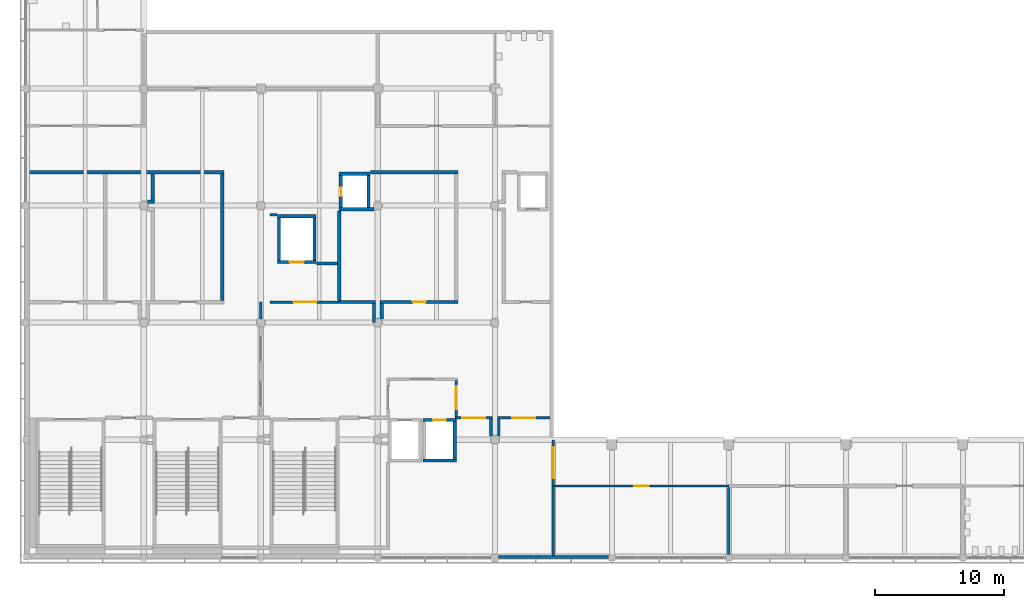
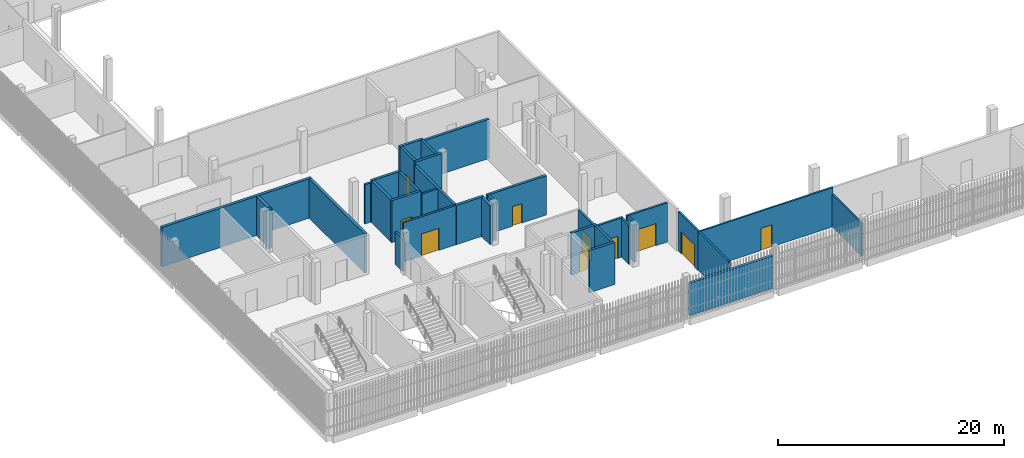
# One storey, part 67 of 124: 35 walls, 10 doors, 10 openings.
"""IFC4 building model written with IfcOpenShell, lengths in metres."""

from ifc_helpers import new_model, si_unit, direction, frame, frame_2d, origin, place, context, subcontext, project, spatial, rectangle, extrude, material, layer, layer_set, type_object, element, fill, save


model = new_model("IFC4")

# Units and contexts
model_context = context("Model", 3, precision=1e-05, world=origin(), true_north=direction((0.0, 1.0)))
body_context = subcontext(model_context, "Body", "Model", "MODEL_VIEW")
ifc_project = project(units=[si_unit("LENGTHUNIT", "METRE"), si_unit("AREAUNIT", "SQUARE_METRE"), si_unit("VOLUMEUNIT", "CUBIC_METRE"), si_unit("PLANEANGLEUNIT", "RADIAN"), si_unit("MASSUNIT", "GRAM", prefix="KILO")], contexts=[model_context])

# Site, building, storey
site_placement = place(None, origin())
site = spatial("IfcSite", under=ifc_project, at=site_placement, CompositionType="ELEMENT")
building_placement = place(site_placement, origin())
building = spatial("IfcBuilding", under=site, at=building_placement, Name="Shirokan Park Arena", CompositionType="ELEMENT")
storey_placement = place(building_placement, frame((0.0, 0.0, 20.02001953125)))
storey = spatial("IfcBuildingStorey", under=building, at=storey_placement, Name="L04", CompositionType="ELEMENT", Elevation=20.02001953125)

# Walls
ifc_material_1 = material(Name="Gypsum board")
ifc_layer_1 = layer(ifc_material_1, 0.02490234375, Name="Gypsum board, two layers")
ifc_material_2 = material(Name="Mineral wool insulation")
ifc_layer_2 = layer(ifc_material_2, 0.10009765625, Name="Acoustic mineral wool in studs")
ifc_layer_3 = layer(ifc_material_1, 0.02490234375, Name="Gypsum board, two layers")
ifc_material_3 = material(Name="Acoustic mat on resilient channel")
ifc_layer_4 = layer(ifc_material_3, 0.02490234375, Name="Acoustic mat on resilient channel")
ifc_layer_set_1 = layer_set([ifc_layer_1, ifc_layer_2, ifc_layer_3, ifc_layer_4], Name="Gypsum board, two layers + Acoustic mineral wool in studs + Acoustic mat on resilient channel")
wall_type_1 = type_object("IfcWallType", Name="Acoustic studio wall 175", PredefinedType="PARTITIONING", material=ifc_layer_set_1)
wall_1_placement = place(storey_placement, frame((40.949951171875, 0.10009765625, 0.0), z_axis=(0.0, 0.0, 1.0), x_axis=(0.0, 1.0, 0.0)))
element("IfcWall", 1, at=wall_1_placement, inside=storey, type_object=wall_type_1, Name="Acoustic studio wall 175 L04", PredefinedType="PARTITIONING", context=body_context, shape_type="SweptSolid", body=[
    extrude(rectangle(XDim=5.39990234375, YDim=0.175048828125, at=frame_2d((2.699951171875, 0.0))), origin(), (0.0, 0.0, 1.0), 4.25),
])
wall_2_placement = place(storey_placement, frame((54.60009765625, 5.39990234375, 0.0), z_axis=(0.0, 0.0, 1.0), x_axis=(0.0, -1.0, 0.0)))
element("IfcWall", 2, at=wall_2_placement, inside=storey, type_object=wall_type_1, Name="Acoustic studio wall 175 L04", PredefinedType="PARTITIONING", context=body_context, shape_type="SweptSolid", body=[
    extrude(rectangle(XDim=5.224853515625, YDim=0.175048828125, at=frame_2d((2.6123046875, 0.0))), origin(), (0.0, 0.0, 1.0), 3.550048828125),
])

# Wall, opening, door
wall_3_placement = place(storey_placement, frame((54.60009765625, 5.5, 0.0), z_axis=(0.0, 0.0, 1.0), x_axis=(-1.0, 0.0, 0.0)))
wall_3 = element("IfcWall", 3, at=wall_3_placement, inside=storey, type_object=wall_type_1, Name="Acoustic studio wall 175 L04", PredefinedType="PARTITIONING", context=body_context, shape_type="SweptSolid", body=[
    extrude(rectangle(XDim=13.550048828125, YDim=0.175048828125, at=frame_2d((6.77490234375, 0.0))), origin(), (0.0, 0.0, 1.0), 4.25),
])
opening_1_placement = place(wall_3_placement, frame((6.25, 0.0, 0.0)))
opening_1 = element("IfcOpeningElement", 4, at=opening_1_placement, cuts=wall_3, Name="Opening D-4061", PredefinedType="OPENING", context=body_context, shape_type="SweptSolid", body=[
    extrude(rectangle(XDim=1.10009765625, YDim=2.39990234375, at=frame_2d((0.550048828125, 1.199951171875))), frame((0.0, 0.097412109375, 0.0), z_axis=(0.0, -1.0, 0.0), x_axis=(1.0, 0.0, 0.0)), (0.0, 0.0, 1.0), 0.195068359375),
])
ifc_material_4 = material(Name="Acoustic timber door set, fire resisting", Category="wood")
door_type_1 = type_object("IfcDoorType", Name="Acoustic studio door 1100 x 2400", OperationType="SINGLE_SWING_LEFT", PredefinedType="DOOR", material=ifc_material_4)
door_1_placement = place(opening_1_placement, origin())
door_1 = element("IfcDoor", 5, at=door_1_placement, inside=storey, type_object=door_type_1, Name="Door to Camera Position Room 4.11 D-4061", OperationType="SINGLE_SWING_LEFT", OverallHeight=2.39990234375, OverallWidth=1.10009765625, PredefinedType="DOOR", context=body_context, shape_type="SweptSolid", body=[
    extrude(rectangle(XDim=1.10009765625, YDim=2.39990234375, at=frame_2d((0.550048828125, 1.199951171875))), frame((0.0, 0.02490234375, 0.0), z_axis=(0.0, -1.0, 0.0), x_axis=(1.0, 0.0, 0.0)), (0.0, 0.0, 1.0), 0.050048828125),
])
fill(opening_1, door_1)

# Walls
ifc_material_5 = material(Name="Plaster")
ifc_layer_5 = layer(ifc_material_5, 0.014892578125, Name="Plaster")
ifc_material_6 = material(Name="Concrete blockwork", Category="masonry")
ifc_layer_6 = layer(ifc_material_6, 0.219970703125, Name="Concrete blockwork 220")
ifc_layer_7 = layer(ifc_material_5, 0.014892578125, Name="Plaster")
ifc_layer_set_2 = layer_set([ifc_layer_5, ifc_layer_6, ifc_layer_7], Name="Plaster + Concrete blockwork 220")
wall_type_2 = type_object("IfcWallType", Name="Compartment wall 250", PredefinedType="SOLIDWALL", material=ifc_layer_set_2)
wall_4_placement = place(storey_placement, frame((24.300048828125, 19.800048828125, 0.0), z_axis=(0.0, 0.0, 1.0), x_axis=(1.0, 0.0, 0.0)))
element("IfcWall", 6, at=wall_4_placement, inside=storey, type_object=wall_type_2, Name="Compartment wall 250 L04", PredefinedType="SOLIDWALL", context=body_context, shape_type="SweptSolid", body=[
    extrude(rectangle(XDim=2.824951171875, YDim=0.25, at=frame_2d((1.41259765625, 0.0))), origin(), (0.0, 0.0, 1.0), 4.25),
])
wall_5_placement = place(storey_placement, frame((24.300048828125, 19.925048828125, 0.0), z_axis=(0.0, 0.0, 1.0), x_axis=(0.0, 1.0, 0.0)))
element("IfcWall", 7, at=wall_5_placement, inside=storey, type_object=wall_type_2, Name="Compartment wall 250 L04", PredefinedType="SOLIDWALL", context=body_context, shape_type="SweptSolid", body=[
    extrude(rectangle(XDim=6.945068359375, YDim=0.25, at=frame_2d((3.47265625, 0.0))), origin(), (0.0, 0.0, 1.0), 4.25),
])
wall_6_placement = place(storey_placement, frame((26.72998046875, 29.89990234375, 0.0), z_axis=(0.0, 0.0, 1.0), x_axis=(1.0, 0.0, 0.0)))
element("IfcWall", 8, at=wall_6_placement, inside=storey, type_object=wall_type_2, Name="Compartment wall 250 L04", PredefinedType="SOLIDWALL", context=body_context, shape_type="SweptSolid", body=[
    extrude(rectangle(XDim=6.794921875, YDim=0.25, at=frame_2d((3.3974609375, 0.0))), origin(), (0.0, 0.0, 1.0), 4.25),
])
wall_7_placement = place(storey_placement, frame((27.0, 18.199951171875, 0.0), z_axis=(0.0, 0.0, 1.0), x_axis=(0.0, 1.0, 0.0)))
element("IfcWall", 9, at=wall_7_placement, inside=storey, type_object=wall_type_2, Name="Compartment wall 250 L04", PredefinedType="SOLIDWALL", context=body_context, shape_type="SweptSolid", body=[
    extrude(rectangle(XDim=1.47509765625, YDim=0.25, at=frame_2d((0.737548828125, 0.0))), origin(), (0.0, 0.0, 1.0), 4.25),
])

# Wall, opening, door
wall_8_placement = place(storey_placement, frame((27.47509765625, 19.800048828125, 0.0), z_axis=(0.0, 0.0, 1.0), x_axis=(1.0, 0.0, 0.0)))
wall_8 = element("IfcWall", 10, at=wall_8_placement, inside=storey, type_object=wall_type_2, Name="Compartment wall 250 L04", PredefinedType="SOLIDWALL", context=body_context, shape_type="SweptSolid", body=[
    extrude(rectangle(XDim=6.0498046875, YDim=0.25, at=frame_2d((3.02490234375, 0.0))), origin(), (0.0, 0.0, 1.0), 4.25),
])
opening_2_placement = place(wall_8_placement, frame((2.550048828125, 0.0, 0.0)))
opening_2 = element("IfcOpeningElement", 11, at=opening_2_placement, cuts=wall_8, Name="Opening D-4002", PredefinedType="OPENING", context=body_context, shape_type="SweptSolid", body=[
    extrude(rectangle(XDim=1.0, YDim=2.10009765625, at=frame_2d((0.5, 1.050048828125))), frame((0.0, 0.135009765625, 0.0), z_axis=(0.0, -1.0, 0.0), x_axis=(1.0, 0.0, 0.0)), (0.0, 0.0, 1.0), 0.27001953125),
])
ifc_material_7 = material(Name="Timber door set, fire resisting", Category="wood")
door_type_2 = type_object("IfcDoorType", Name="Door 1000 x 2100", OperationType="SINGLE_SWING_LEFT", PredefinedType="DOOR", material=ifc_material_7)
door_2_placement = place(opening_2_placement, origin())
door_2 = element("IfcDoor", 12, at=door_2_placement, inside=storey, type_object=door_type_2, Name="Door to Records Store 4.18 D-4002", OperationType="SINGLE_SWING_LEFT", OverallHeight=2.10009765625, OverallWidth=1.0, PredefinedType="DOOR", context=body_context, shape_type="SweptSolid", body=[
    extrude(rectangle(XDim=1.0, YDim=2.10009765625, at=frame_2d((0.5, 1.050048828125))), frame((0.0, 0.02490234375, 0.0), z_axis=(0.0, -1.0, 0.0), x_axis=(1.0, 0.0, 0.0)), (0.0, 0.0, 1.0), 0.050048828125),
])
fill(opening_2, door_2)

# Walls
wall_9_placement = place(storey_placement, frame((27.60009765625, 18.5, 0.0), z_axis=(0.0, 0.0, 1.0), x_axis=(0.0, 1.0, 0.0)))
element("IfcWall", 13, at=wall_9_placement, inside=storey, type_object=wall_type_2, Name="Compartment wall 250 L04", PredefinedType="SOLIDWALL", context=body_context, shape_type="SweptSolid", body=[
    extrude(rectangle(XDim=1.175048828125, YDim=0.25, at=frame_2d((0.58740234375, 0.0))), origin(), (0.0, 0.0, 1.0), 4.25),
])
ifc_layer_8 = layer(ifc_material_1, 0.02490234375, Name="Gypsum board, two layers")
ifc_layer_9 = layer(ifc_material_2, 0.14990234375, Name="Mineral wool insulation")
ifc_layer_10 = layer(ifc_material_1, 0.02490234375, Name="Gypsum board, two layers")
ifc_layer_set_3 = layer_set([ifc_layer_8, ifc_layer_9, ifc_layer_10], Name="Gypsum board, two layers + Mineral wool insulation")
wall_type_3 = type_object("IfcWallType", Name="Corridor wall 200", PredefinedType="PARTITIONING", material=ifc_layer_set_3)
wall_10_placement = place(storey_placement, frame((18.199951171875, 19.800048828125, 0.0), z_axis=(0.0, 0.0, 1.0), x_axis=(0.0, -1.0, 0.0)))
element("IfcWall", 14, at=wall_10_placement, inside=storey, type_object=wall_type_3, Name="Corridor wall 200 L04", PredefinedType="PARTITIONING", context=body_context, shape_type="SweptSolid", body=[
    extrude(rectangle(XDim=1.300048828125, YDim=0.199951171875, at=frame_2d((0.64990234375, 0.0))), origin(), (0.0, 0.0, 1.0), 3.5),
])

# Wall, opening, door
wall_11_placement = place(storey_placement, frame((18.89990234375, 19.800048828125, 0.0), z_axis=(0.0, 0.0, 1.0), x_axis=(1.0, 0.0, 0.0)))
wall_11 = element("IfcWall", 15, at=wall_11_placement, inside=storey, type_object=wall_type_3, Name="Corridor wall 200 L04", PredefinedType="PARTITIONING", context=body_context, shape_type="SweptSolid", body=[
    extrude(rectangle(XDim=5.400146484375, YDim=0.199951171875, at=frame_2d((2.7001953125, 0.0))), origin(), (0.0, 0.0, 1.0), 4.25),
])
opening_3_placement = place(wall_11_placement, frame((1.85009765625, 0.0, 0.0)))
opening_3 = element("IfcOpeningElement", 16, at=opening_3_placement, cuts=wall_11, Name="Opening D-4078", PredefinedType="OPENING", context=body_context, shape_type="SweptSolid", body=[
    extrude(rectangle(XDim=1.800048828125, YDim=2.39990234375, at=frame_2d((0.89990234375, 1.199951171875))), frame((0.0, 0.10986328125, 0.0), z_axis=(0.0, -1.0, 0.0), x_axis=(1.0, 0.0, 0.0)), (0.0, 0.0, 1.0), 0.219970703125),
])
ifc_material_8 = material(Name="Glazed steel door set, fire resisting", Category="steel")
door_type_3 = type_object("IfcDoorType", Name="Lift lobby door 1800 x 2400", OperationType="DOUBLE_DOOR_SINGLE_SWING", PredefinedType="DOOR", material=ifc_material_8)
door_3_placement = place(opening_3_placement, origin())
door_3 = element("IfcDoor", 17, at=door_3_placement, inside=storey, type_object=door_type_3, Name="Door between Operations Gallery 1.4.2 and Service Lift Lobby 1.4 D-4078", OperationType="DOUBLE_DOOR_SINGLE_SWING", OverallHeight=2.39990234375, OverallWidth=1.800048828125, PredefinedType="DOOR", context=body_context, shape_type="SweptSolid", body=[
    extrude(rectangle(XDim=1.800048828125, YDim=2.39990234375, at=frame_2d((0.89990234375, 1.199951171875))), frame((0.0, 0.02490234375, 0.0), z_axis=(0.0, -1.0, 0.0), x_axis=(1.0, 0.0, 0.0)), (0.0, 0.0, 1.0), 0.050048828125),
])
fill(opening_3, door_3)

# Walls
wall_12_placement = place(storey_placement, frame((18.89990234375, 26.60009765625, 0.0), z_axis=(0.0, 0.0, 1.0), x_axis=(1.0, 0.0, 0.0)))
element("IfcWall", 18, at=wall_12_placement, inside=storey, type_object=wall_type_3, Name="Corridor wall 200 L04", PredefinedType="PARTITIONING", context=body_context, shape_type="SweptSolid", body=[
    extrude(rectangle(XDim=0.570068359375, YDim=0.199951171875, at=frame_2d((0.28515625, 0.0))), origin(), (0.0, 0.0, 1.0), 4.25),
])
wall_13_placement = place(storey_placement, frame((22.530029296875, 22.800048828125, 0.0), z_axis=(0.0, 0.0, 1.0), x_axis=(1.0, 0.0, 0.0)))
element("IfcWall", 19, at=wall_13_placement, inside=storey, type_object=wall_type_3, Name="Corridor wall 200 L04", PredefinedType="PARTITIONING", context=body_context, shape_type="SweptSolid", body=[
    extrude(rectangle(XDim=1.64501953125, YDim=0.199951171875, at=frame_2d((0.822509765625, 0.0))), origin(), (0.0, 0.0, 1.0), 4.25),
])

# Wall, opening, door
wall_14_placement = place(storey_placement, frame((33.39990234375, 10.89990234375, 0.0), z_axis=(0.0, 0.0, 1.0), x_axis=(0.0, 1.0, 0.0)))
wall_14 = element("IfcWall", 20, at=wall_14_placement, inside=storey, type_object=wall_type_3, Name="Corridor wall 200 L04", PredefinedType="PARTITIONING", context=body_context, shape_type="SweptSolid", body=[
    extrude(rectangle(XDim=2.800048828125, YDim=0.199951171875, at=frame_2d((1.39990234375, 0.0))), origin(), (0.0, 0.0, 1.0), 4.25),
])
opening_4_placement = place(wall_14_placement, frame((0.550048828125, 0.0, 0.0)))
opening_4 = element("IfcOpeningElement", 21, at=opening_4_placement, cuts=wall_14, Name="Opening D-4076", PredefinedType="OPENING", context=body_context, shape_type="SweptSolid", body=[
    extrude(rectangle(XDim=1.800048828125, YDim=2.39990234375, at=frame_2d((0.89990234375, 1.199951171875))), frame((0.0, 0.10986328125, 0.0), z_axis=(0.0, -1.0, 0.0), x_axis=(1.0, 0.0, 0.0)), (0.0, 0.0, 1.0), 0.219970703125),
])
door_4_placement = place(opening_4_placement, origin())
door_4 = element("IfcDoor", 22, at=door_4_placement, inside=storey, type_object=door_type_3, Name="Door between Operations Gallery 1.4.2 and Lift Lobby 1.4 D-4076", OperationType="DOUBLE_DOOR_SINGLE_SWING", OverallHeight=2.39990234375, OverallWidth=1.800048828125, PredefinedType="DOOR", context=body_context, shape_type="SweptSolid", body=[
    extrude(rectangle(XDim=1.800048828125, YDim=2.39990234375, at=frame_2d((0.89990234375, 1.199951171875))), frame((0.0, 0.02490234375, 0.0), z_axis=(0.0, -1.0, 0.0), x_axis=(1.0, 0.0, 0.0)), (0.0, 0.0, 1.0), 0.050048828125),
])
fill(opening_4, door_4)

# Wall
wall_15_placement = place(storey_placement, frame((36.10009765625, 9.39990234375, 0.0), z_axis=(0.0, 0.0, 1.0), x_axis=(0.0, 1.0, 0.0)))
element("IfcWall", 23, at=wall_15_placement, inside=storey, type_object=wall_type_3, Name="Corridor wall 200 L04", PredefinedType="PARTITIONING", context=body_context, shape_type="SweptSolid", body=[
    extrude(rectangle(XDim=1.300048828125, YDim=0.199951171875, at=frame_2d((0.64990234375, 0.0))), origin(), (0.0, 0.0, 1.0), 4.25),
])

# Wall, opening, door
wall_16_placement = place(storey_placement, frame((36.199951171875, 10.800048828125, 0.0), z_axis=(0.0, 0.0, 1.0), x_axis=(-1.0, 0.0, 0.0)))
wall_16 = element("IfcWall", 24, at=wall_16_placement, inside=storey, type_object=wall_type_3, Name="Corridor wall 200 L04", PredefinedType="PARTITIONING", context=body_context, shape_type="SweptSolid", body=[
    extrude(rectangle(XDim=2.89990234375, YDim=0.199951171875, at=frame_2d((1.449951171875, 0.0))), origin(), (0.0, 0.0, 1.0), 4.25),
])
opening_5_placement = place(wall_16_placement, frame((0.550048828125, 0.0, 0.0)))
opening_5 = element("IfcOpeningElement", 25, at=opening_5_placement, cuts=wall_16, Name="Opening D-4080", PredefinedType="OPENING", context=body_context, shape_type="SweptSolid", body=[
    extrude(rectangle(XDim=1.800048828125, YDim=2.39990234375, at=frame_2d((0.89990234375, 1.199951171875))), frame((0.0, 0.10986328125, 0.0), z_axis=(0.0, -1.0, 0.0), x_axis=(1.0, 0.0, 0.0)), (0.0, 0.0, 1.0), 0.219970703125),
])
door_5_placement = place(opening_5_placement, origin())
door_5 = element("IfcDoor", 26, at=door_5_placement, inside=storey, type_object=door_type_3, Name="Door between Operations Gallery 1.4.2 and Ring Link 1.4 D-4080", OperationType="DOUBLE_DOOR_SINGLE_SWING", OverallHeight=2.39990234375, OverallWidth=1.800048828125, PredefinedType="DOOR", context=body_context, shape_type="SweptSolid", body=[
    extrude(rectangle(XDim=1.800048828125, YDim=2.39990234375, at=frame_2d((0.89990234375, 1.199951171875))), frame((0.0, 0.02490234375, 0.0), z_axis=(0.0, -1.0, 0.0), x_axis=(1.0, 0.0, 0.0)), (0.0, 0.0, 1.0), 0.050048828125),
])
fill(opening_5, door_5)

# Wall
wall_17_placement = place(storey_placement, frame((36.699951171875, 10.699951171875, 0.0), z_axis=(0.0, 0.0, 1.0), x_axis=(0.0, -1.0, 0.0)))
element("IfcWall", 27, at=wall_17_placement, inside=storey, type_object=wall_type_3, Name="Corridor wall 200 L04", PredefinedType="PARTITIONING", context=body_context, shape_type="SweptSolid", body=[
    extrude(rectangle(XDim=1.300048828125, YDim=0.199951171875, at=frame_2d((0.64990234375, 0.0))), origin(), (0.0, 0.0, 1.0), 4.25),
])

# Wall, opening, door
wall_18_placement = place(storey_placement, frame((40.699951171875, 10.800048828125, 0.0), z_axis=(0.0, 0.0, 1.0), x_axis=(-1.0, 0.0, 0.0)))
wall_18 = element("IfcWall", 28, at=wall_18_placement, inside=storey, type_object=wall_type_3, Name="Corridor wall 200 L04", PredefinedType="PARTITIONING", context=body_context, shape_type="SweptSolid", body=[
    extrude(rectangle(XDim=4.099853515625, YDim=0.199951171875, at=frame_2d((2.0498046875, 0.0))), origin(), (0.0, 0.0, 1.0), 4.25),
])
opening_6_placement = place(wall_18_placement, frame((1.14990234375, 0.0, 0.0)))
opening_6 = element("IfcOpeningElement", 29, at=opening_6_placement, cuts=wall_18, Name="Opening D-4079", PredefinedType="OPENING", context=body_context, shape_type="SweptSolid", body=[
    extrude(rectangle(XDim=1.800048828125, YDim=2.39990234375, at=frame_2d((0.89990234375, 1.199951171875))), frame((0.0, 0.10986328125, 0.0), z_axis=(0.0, -1.0, 0.0), x_axis=(1.0, 0.0, 0.0)), (0.0, 0.0, 1.0), 0.219970703125),
])
door_6_placement = place(opening_6_placement, origin())
door_6 = element("IfcDoor", 30, at=door_6_placement, inside=storey, type_object=door_type_3, Name="Door between Operations Gallery 1.4.2 and Ring Link 1.4 D-4079", OperationType="DOUBLE_DOOR_SINGLE_SWING", OverallHeight=2.39990234375, OverallWidth=1.800048828125, PredefinedType="DOOR", context=body_context, shape_type="SweptSolid", body=[
    extrude(rectangle(XDim=1.800048828125, YDim=2.39990234375, at=frame_2d((0.89990234375, 1.199951171875))), frame((0.0, 0.02490234375, 0.0), z_axis=(0.0, -1.0, 0.0), x_axis=(1.0, 0.0, 0.0)), (0.0, 0.0, 1.0), 0.050048828125),
])
fill(opening_6, door_6)

wall_19_placement = place(storey_placement, frame((40.949951171875, 9.070068359375, 0.0), z_axis=(0.0, 0.0, 1.0), x_axis=(0.0, -1.0, 0.0)))
wall_19 = element("IfcWall", 31, at=wall_19_placement, inside=storey, type_object=wall_type_3, Name="Corridor wall 200 L04", PredefinedType="PARTITIONING", context=body_context, shape_type="SweptSolid", body=[
    extrude(rectangle(XDim=3.570068359375, YDim=0.199951171875, at=frame_2d((1.78515625, 0.0))), origin(), (0.0, 0.0, 1.0), 4.25),
])
opening_7_placement = place(wall_19_placement, frame((0.550048828125, 0.0, 0.0)))
opening_7 = element("IfcOpeningElement", 32, at=opening_7_placement, cuts=wall_19, Name="Opening D-4082", PredefinedType="OPENING", context=body_context, shape_type="SweptSolid", body=[
    extrude(rectangle(XDim=2.39990234375, YDim=2.39990234375, at=frame_2d((1.199951171875, 1.199951171875))), frame((0.0, 0.10986328125, 0.0), z_axis=(0.0, -1.0, 0.0), x_axis=(1.0, 0.0, 0.0)), (0.0, 0.0, 1.0), 0.219970703125),
])
ifc_material_9 = material(Name="Steel door set, fire resisting", Category="steel")
door_type_4 = type_object("IfcDoorType", Name="Double door 2400 x 2400", OperationType="DOUBLE_DOOR_SINGLE_SWING", PredefinedType="DOOR", material=ifc_material_9)
door_7_placement = place(opening_7_placement, origin())
door_7 = element("IfcDoor", 33, at=door_7_placement, inside=storey, type_object=door_type_4, Name="Door between Ring Link 1.4 and Operations Corridor 4.01 D-4082", OperationType="DOUBLE_DOOR_SINGLE_SWING", OverallHeight=2.39990234375, OverallWidth=2.39990234375, PredefinedType="DOOR", context=body_context, shape_type="SweptSolid", body=[
    extrude(rectangle(XDim=2.39990234375, YDim=2.39990234375, at=frame_2d((1.199951171875, 1.199951171875))), frame((0.0, 0.02490234375, 0.0), z_axis=(0.0, -1.0, 0.0), x_axis=(1.0, 0.0, 0.0)), (0.0, 0.0, 1.0), 0.050048828125),
])
fill(opening_7, door_7)

# Walls
ifc_layer_11 = layer(ifc_material_5, 0.012451171875, Name="Plaster")
ifc_layer_12 = layer(ifc_material_6, 0.25, Name="Concrete blockwork 250")
ifc_layer_13 = layer(ifc_material_5, 0.012451171875, Name="Plaster")
ifc_layer_set_4 = layer_set([ifc_layer_11, ifc_layer_12, ifc_layer_13], Name="Plaster + Concrete blockwork 250")
wall_type_4 = type_object("IfcWallType", Name="Plant room wall 275", PredefinedType="SOLIDWALL", material=ifc_layer_set_4)
wall_20_placement = place(storey_placement, frame((0.030029296875, 29.89990234375, 0.0), z_axis=(0.0, 0.0, 1.0), x_axis=(1.0, 0.0, 0.0)))
element("IfcWall", 34, at=wall_20_placement, inside=storey, type_object=wall_type_4, Name="Plant room wall 275 L04", PredefinedType="SOLIDWALL", context=body_context, shape_type="SweptSolid", body=[
    extrude(rectangle(XDim=15.307373046875, YDim=0.27490234375, at=frame_2d((7.65380859375, 0.0))), origin(), (0.0, 0.0, 1.0), 4.25),
])
wall_21_placement = place(storey_placement, frame((9.39990234375, 27.60009765625, 0.0), z_axis=(0.0, 0.0, 1.0), x_axis=(1.0, 0.0, 0.0)))
element("IfcWall", 35, at=wall_21_placement, inside=storey, type_object=wall_type_4, Name="Plant room wall 275 L04", PredefinedType="SOLIDWALL", context=body_context, shape_type="SweptSolid", body=[
    extrude(rectangle(XDim=0.53759765625, YDim=0.27490234375, at=frame_2d((0.268798828125, 0.0))), origin(), (0.0, 0.0, 1.0), 4.25),
])
wall_22_placement = place(storey_placement, frame((9.800048828125, 27.737548828125, 0.0), z_axis=(0.0, 0.0, 1.0), x_axis=(0.0, 1.0, 0.0)))
element("IfcWall", 36, at=wall_22_placement, inside=storey, type_object=wall_type_4, Name="Plant room wall 275 L04", PredefinedType="SOLIDWALL", context=body_context, shape_type="SweptSolid", body=[
    extrude(rectangle(XDim=2.02490234375, YDim=0.27490234375, at=frame_2d((1.012451171875, 0.0))), origin(), (0.0, 0.0, 1.0), 4.25),
])
wall_23_placement = place(storey_placement, frame((15.199951171875, 29.762451171875, 0.0), z_axis=(0.0, 0.0, 1.0), x_axis=(0.0, -1.0, 0.0)))
element("IfcWall", 37, at=wall_23_placement, inside=storey, type_object=wall_type_4, Name="Plant room wall 275 L04", PredefinedType="SOLIDWALL", context=body_context, shape_type="SweptSolid", body=[
    extrude(rectangle(XDim=9.824951171875, YDim=0.27490234375, at=frame_2d((4.91259765625, 0.0))), origin(), (0.0, 0.0, 1.0), 4.25),
])
ifc_material_10 = material(Name="Concrete C40/50 precast", Category="concrete")
ifc_layer_14 = layer(ifc_material_10, 0.10009765625, Name="Concrete C40/50 precast")
ifc_layer_15 = layer(ifc_material_2, 0.10009765625, Name="Mineral wool insulation")
ifc_material_11 = material(Name="Gypsum board lining")
ifc_layer_16 = layer(ifc_material_11, 0.050048828125, Name="Gypsum board lining")
ifc_layer_set_5 = layer_set([ifc_layer_14, ifc_layer_15, ifc_layer_16], Name="Concrete C40/50 precast + Mineral wool insulation + Gypsum board lining")
wall_type_5 = type_object("IfcWallType", Name="Precast concrete panel wall 250", PredefinedType="SOLIDWALL", material=ifc_layer_set_5)
wall_24_placement = place(storey_placement, frame((36.675048828125, -0.02490234375, 0.0), z_axis=(0.0, 0.0, 1.0), x_axis=(1.0, 0.0, 0.0)))
element("IfcWall", 38, at=wall_24_placement, inside=storey, type_object=wall_type_5, Name="South facade wall bay 5 L04", PredefinedType="SOLIDWALL", context=body_context, shape_type="SweptSolid", body=[
    extrude(rectangle(XDim=8.574951171875, YDim=0.25, at=frame_2d((4.28759765625, 0.0))), origin(), (0.0, 0.0, 1.0), 3.5),
])
ifc_material_12 = material(Name="Concrete C40/50", Category="concrete")
ifc_layer_17 = layer(ifc_material_12, 0.25)
ifc_layer_set_6 = layer_set([ifc_layer_17], Name="Concrete C40/50 250 mm")
wall_type_6 = type_object("IfcWallType", Name="RC shear wall 250", PredefinedType="SHEAR", material=ifc_layer_set_6)
wall_25_placement = place(storey_placement, frame((33.39990234375, 7.47509765625, 0.0), z_axis=(0.0, 0.0, 1.0), x_axis=(-1.0, 0.0, 0.0)))
element("IfcWall", 39, at=wall_25_placement, inside=storey, type_object=wall_type_6, Name="Shaft wall Passenger Lift 1.2 S L04", PredefinedType="SHEAR", context=body_context, shape_type="SweptSolid", body=[
    extrude(rectangle(XDim=2.599853515625, YDim=0.25, at=frame_2d((1.2998046875, 0.0))), origin(), (0.0, 0.0, 1.0), 4.550048828125),
])

# Wall, opening, door
wall_26_placement = place(storey_placement, frame((33.39990234375, 10.625, 0.0), z_axis=(0.0, 0.0, 1.0), x_axis=(-1.0, 0.0, 0.0)))
wall_26 = element("IfcWall", 40, at=wall_26_placement, inside=storey, type_object=wall_type_6, Name="Shaft wall Passenger Lift 1.2 N L04", PredefinedType="SHEAR", context=body_context, shape_type="SweptSolid", body=[
    extrude(rectangle(XDim=2.599853515625, YDim=0.25, at=frame_2d((1.2998046875, 0.0))), origin(), (0.0, 0.0, 1.0), 4.550048828125),
])
opening_8_placement = place(wall_26_placement, frame((0.800048828125, 0.0, 0.0)))
opening_8 = element("IfcOpeningElement", 41, at=opening_8_placement, cuts=wall_26, Name="Opening LD11", PredefinedType="OPENING", context=body_context, shape_type="SweptSolid", body=[
    extrude(rectangle(XDim=1.0, YDim=2.10009765625, at=frame_2d((0.5, 1.050048828125))), frame((0.0, 0.135009765625, 0.0), z_axis=(0.0, -1.0, 0.0), x_axis=(1.0, 0.0, 0.0)), (0.0, 0.0, 1.0), 0.27001953125),
])
ifc_material_13 = material(Name="Stainless steel", Category="steel")
door_type_5 = type_object("IfcDoorType", Name="Lift landing door 1000x2100", OperationType="DOUBLE_DOOR_SLIDING", PredefinedType="DOOR", material=ifc_material_13)
door_8_placement = place(opening_8_placement, origin())
door_8 = element("IfcDoor", 42, at=door_8_placement, inside=storey, type_object=door_type_5, Name="Lift landing door Passenger Lift 1.2 L04", OperationType="DOUBLE_DOOR_SLIDING", OverallHeight=2.10009765625, OverallWidth=1.0, PredefinedType="DOOR", context=body_context, shape_type="SweptSolid", body=[
    extrude(rectangle(XDim=1.0, YDim=2.10009765625, at=frame_2d((0.5, 1.050048828125))), frame((0.0, 0.02490234375, 0.0), z_axis=(0.0, -1.0, 0.0), x_axis=(1.0, 0.0, 0.0)), (0.0, 0.0, 1.0), 0.050048828125),
])
fill(opening_8, door_8)

# Walls
wall_27_placement = place(storey_placement, frame((33.27490234375, 10.5, 0.0), z_axis=(0.0, 0.0, 1.0), x_axis=(0.0, -1.0, 0.0)))
element("IfcWall", 43, at=wall_27_placement, inside=storey, type_object=wall_type_6, Name="Shaft wall Passenger Lift 1.2 E L04", PredefinedType="SHEAR", context=body_context, shape_type="SweptSolid", body=[
    extrude(rectangle(XDim=2.89990234375, YDim=0.25, at=frame_2d((1.449951171875, 0.0))), origin(), (0.0, 0.0, 1.0), 4.550048828125),
])
wall_28_placement = place(storey_placement, frame((27.0, 27.02490234375, 0.0), z_axis=(0.0, 0.0, 1.0), x_axis=(-1.0, 0.0, 0.0)))
element("IfcWall", 44, at=wall_28_placement, inside=storey, type_object=wall_type_6, Name="Shaft wall Services Riser 1.2 S L04", PredefinedType="SHEAR", context=body_context, shape_type="SweptSolid", body=[
    extrude(rectangle(XDim=2.699951171875, YDim=0.25, at=frame_2d((1.35009765625, 0.0))), origin(), (0.0, 0.0, 1.0), 4.550048828125),
])
wall_29_placement = place(storey_placement, frame((26.699951171875, 29.77490234375, 0.0), z_axis=(0.0, 0.0, 1.0), x_axis=(-1.0, 0.0, 0.0)))
element("IfcWall", 45, at=wall_29_placement, inside=storey, type_object=wall_type_6, Name="Shaft wall Services Riser 1.2 N L04", PredefinedType="SHEAR", context=body_context, shape_type="SweptSolid", body=[
    extrude(rectangle(XDim=2.39990234375, YDim=0.25, at=frame_2d((1.199951171875, 0.0))), origin(), (0.0, 0.0, 1.0), 4.550048828125),
])

# Wall, opening, door
wall_30_placement = place(storey_placement, frame((24.425048828125, 29.64990234375, 0.0), z_axis=(0.0, 0.0, 1.0), x_axis=(0.0, -1.0, 0.0)))
wall_30 = element("IfcWall", 46, at=wall_30_placement, inside=storey, type_object=wall_type_6, Name="Shaft wall Services Riser 1.2 W L04", PredefinedType="SHEAR", context=body_context, shape_type="SweptSolid", body=[
    extrude(rectangle(XDim=2.5, YDim=0.25, at=frame_2d((1.25, 0.0))), origin(), (0.0, 0.0, 1.0), 4.550048828125),
])
opening_9_placement = place(wall_30_placement, frame((0.89990234375, 0.0, 0.0)))
opening_9 = element("IfcOpeningElement", 47, at=opening_9_placement, cuts=wall_30, Name="Opening D-4120", PredefinedType="OPENING", context=body_context, shape_type="SweptSolid", body=[
    extrude(rectangle(XDim=0.699951171875, YDim=2.10009765625, at=frame_2d((0.35009765625, 1.050048828125))), frame((0.0, 0.135009765625, 0.0), z_axis=(0.0, -1.0, 0.0), x_axis=(1.0, 0.0, 0.0)), (0.0, 0.0, 1.0), 0.27001953125),
])
door_type_6 = type_object("IfcDoorType", Name="Mechanical riser door 700 x 2100", OperationType="SINGLE_SWING_LEFT", PredefinedType="DOOR", material=ifc_material_9)
door_9_placement = place(opening_9_placement, origin())
door_9 = element("IfcDoor", 48, at=door_9_placement, inside=storey, type_object=door_type_6, Name="Riser access door Services Riser 1.2 D-4120", OperationType="SINGLE_SWING_LEFT", OverallHeight=2.10009765625, OverallWidth=0.699951171875, PredefinedType="DOOR", context=body_context, shape_type="SweptSolid", body=[
    extrude(rectangle(XDim=0.699951171875, YDim=2.10009765625, at=frame_2d((0.35009765625, 1.050048828125))), frame((0.0, 0.02490234375, 0.0), z_axis=(0.0, -1.0, 0.0), x_axis=(1.0, 0.0, 0.0)), (0.0, 0.0, 1.0), 0.050048828125),
])
fill(opening_9, door_9)

# Wall
wall_31_placement = place(storey_placement, frame((26.574951171875, 29.64990234375, 0.0), z_axis=(0.0, 0.0, 1.0), x_axis=(0.0, -1.0, 0.0)))
element("IfcWall", 49, at=wall_31_placement, inside=storey, type_object=wall_type_6, Name="Shaft wall Services Riser 1.2 E L04", PredefinedType="SHEAR", context=body_context, shape_type="SweptSolid", body=[
    extrude(rectangle(XDim=2.5, YDim=0.25, at=frame_2d((1.25, 0.0))), origin(), (0.0, 0.0, 1.0), 4.550048828125),
])

# Wall, opening, door
wall_32_placement = place(storey_placement, frame((22.5, 22.925048828125, 0.0), z_axis=(0.0, 0.0, 1.0), x_axis=(-1.0, 0.0, 0.0)))
wall_32 = element("IfcWall", 50, at=wall_32_placement, inside=storey, type_object=wall_type_6, Name="Shaft wall Service Lift 1 S L04", PredefinedType="SHEAR", context=body_context, shape_type="SweptSolid", body=[
    extrude(rectangle(XDim=3.0, YDim=0.25, at=frame_2d((1.5, 0.0))), origin(), (0.0, 0.0, 1.0), 4.550048828125),
])
opening_10_placement = place(wall_32_placement, frame((0.949951171875, 0.0, 0.0)))
opening_10 = element("IfcOpeningElement", 51, at=opening_10_placement, cuts=wall_32, Name="Opening LD53", PredefinedType="OPENING", context=body_context, shape_type="SweptSolid", body=[
    extrude(rectangle(XDim=1.10009765625, YDim=2.10009765625, at=frame_2d((0.550048828125, 1.050048828125))), frame((0.0, 0.135009765625, 0.0), z_axis=(0.0, -1.0, 0.0), x_axis=(1.0, 0.0, 0.0)), (0.0, 0.0, 1.0), 0.27001953125),
])
door_type_7 = type_object("IfcDoorType", Name="Lift landing door 1100x2100", OperationType="DOUBLE_DOOR_SLIDING", PredefinedType="DOOR", material=ifc_material_13)
door_10_placement = place(opening_10_placement, origin())
door_10 = element("IfcDoor", 52, at=door_10_placement, inside=storey, type_object=door_type_7, Name="Lift landing door Service Lift 1 L04", OperationType="DOUBLE_DOOR_SLIDING", OverallHeight=2.10009765625, OverallWidth=1.10009765625, PredefinedType="DOOR", context=body_context, shape_type="SweptSolid", body=[
    extrude(rectangle(XDim=1.10009765625, YDim=2.10009765625, at=frame_2d((0.550048828125, 1.050048828125))), frame((0.0, 0.02490234375, 0.0), z_axis=(0.0, -1.0, 0.0), x_axis=(1.0, 0.0, 0.0)), (0.0, 0.0, 1.0), 0.050048828125),
])
fill(opening_10, door_10)

# Walls
wall_33_placement = place(storey_placement, frame((22.5, 26.47509765625, 0.0), z_axis=(0.0, 0.0, 1.0), x_axis=(-1.0, 0.0, 0.0)))
element("IfcWall", 53, at=wall_33_placement, inside=storey, type_object=wall_type_6, Name="Shaft wall Service Lift 1 N L04", PredefinedType="SHEAR", context=body_context, shape_type="SweptSolid", body=[
    extrude(rectangle(XDim=3.0, YDim=0.25, at=frame_2d((1.5, 0.0))), origin(), (0.0, 0.0, 1.0), 4.550048828125),
])
for number, where, z_axis, x_axis, name in (
    (54, (19.625, 26.35009765625, 0.0), (0.0, 0.0, 1.0), (0.0, -1.0, 0.0), "Shaft wall Service Lift 1 W L04"),
    (55, (22.375, 26.35009765625, 0.0), (0.0, 0.0, 1.0), (0.0, -1.0, 0.0), "Shaft wall Service Lift 1 E L04"),
):
    element("IfcWall", number, at=place(storey_placement, frame(where, z_axis=z_axis, x_axis=x_axis)), inside=storey, type_object=wall_type_6, Name=name, PredefinedType="SHEAR", context=body_context, shape_type="SweptSolid", body=[
        extrude(rectangle(XDim=3.300048828125, YDim=0.25, at=frame_2d((1.64990234375, 0.0))), origin(), (0.0, 0.0, 1.0), 4.550048828125),
    ])

save(model, "model.ifc")
